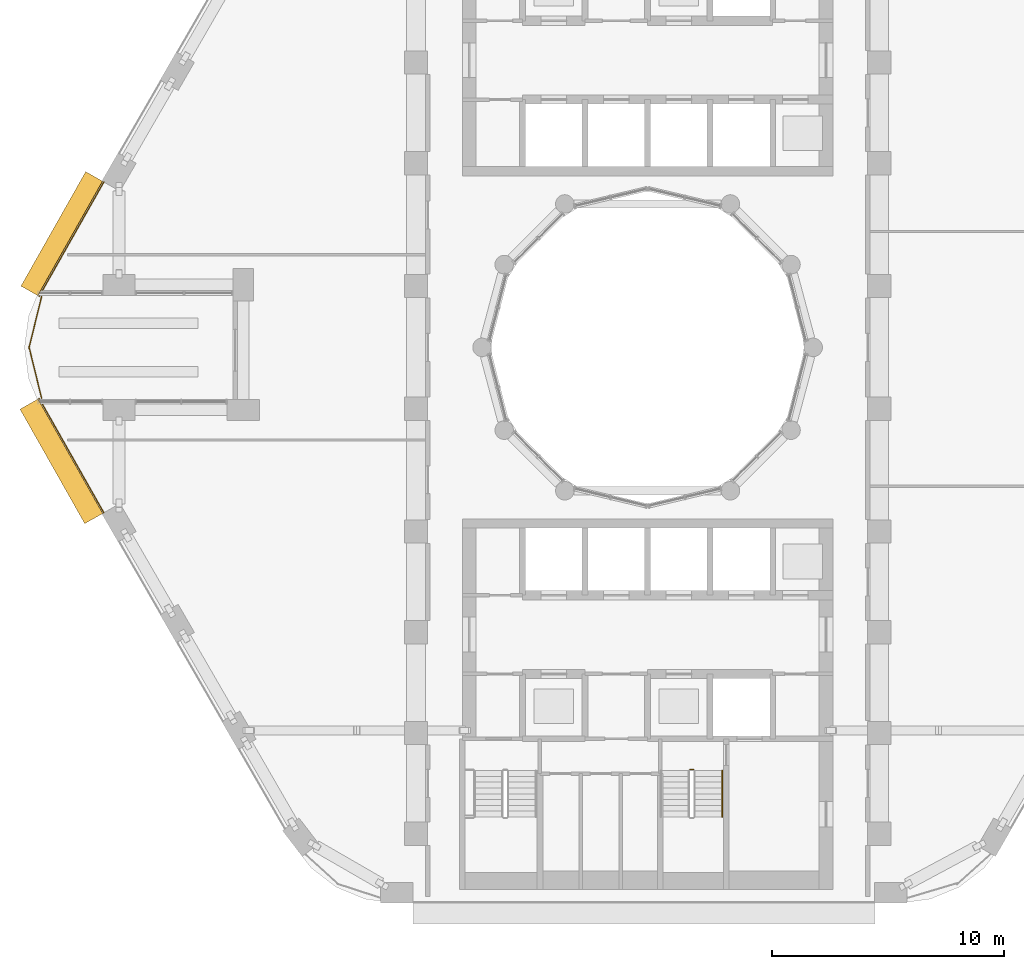
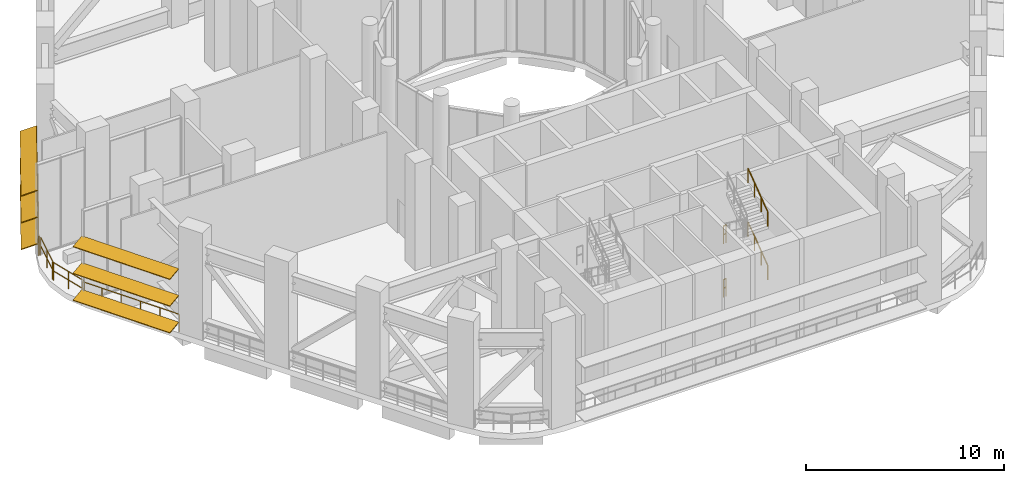
# One storey, part 17 of 21: 8 railings, 6 shading devices.
"""IFC4 building model written with IfcOpenShell, lengths in metres."""

from ifc_helpers import new_model, si_unit, direction, frame, origin, origin_2d, place, context, subcontext, project, spatial, rectangle, circle, extrude, material, material_profile, profile_set, type_object, element, save


model = new_model("IFC4")

# Units and contexts
model_context = context("Model", 3, precision=1e-05, world=origin(), true_north=direction((0.0, 1.0)))
body_context = subcontext(model_context, "Body", "Model", "MODEL_VIEW")
ifc_project = project(units=[si_unit("LENGTHUNIT", "METRE"), si_unit("AREAUNIT", "SQUARE_METRE"), si_unit("VOLUMEUNIT", "CUBIC_METRE"), si_unit("PLANEANGLEUNIT", "RADIAN"), si_unit("MASSUNIT", "GRAM", prefix="KILO")], contexts=[model_context])

# Site, building, storey
site_placement = place(None, origin())
site = spatial("IfcSite", under=ifc_project, at=site_placement, CompositionType="ELEMENT")
building_placement = place(site_placement, origin())
building = spatial("IfcBuilding", under=site, at=building_placement, Name="Nakaniwa Court", CompositionType="ELEMENT")
storey_placement = place(building_placement, frame((0.0, 0.0, 120.60009765625)))
storey = spatial("IfcBuildingStorey", under=building, at=storey_placement, Name="S2", CompositionType="ELEMENT", Elevation=120.60009765625)

# Railings
ifc_material_1 = material(Name="Black powder-coated steel flat bar balustrade S275", Category="steel")
railing_type_1 = type_object("IfcRailingType", Name="Black metal terrace guard 1100", PredefinedType="GUARDRAIL", material=ifc_material_1)
railing_1_placement = place(storey_placement, frame((56.522216796875, 87.14306640625, 0.0)))
element("IfcRailing", 1, at=railing_1_placement, inside=storey, type_object=railing_type_1, Name="S2 refuge band guard 14", PredefinedType="GUARDRAIL", context=body_context, shape_type="SweptSolid", body=[
    extrude(circle(Radius=0.02392578125, at=origin_2d()), frame((0.0, 0.0, 1.076171875), z_axis=(-0.492424278861, -0.870355289286, 0.0), x_axis=(0.870355289286, -0.492424278861, 0.0)), (0.0, 0.0, 1.0), 5.67626953125),
    extrude(circle(Radius=0.02392578125, at=origin_2d()), frame((0.0, 0.0, 0.550048828125), z_axis=(-0.492424278861, -0.870355289286, 0.0), x_axis=(0.870355289286, -0.492424278861, 0.0)), (0.0, 0.0, 1.0), 5.67626953125),
    extrude(circle(Radius=0.02099609375, at=origin_2d()), origin(), (0.0, 0.0, 1.0), 1.052001953125),
    extrude(circle(Radius=0.02099609375, at=origin_2d()), frame((-0.55908203125, -0.988037109375, 0.0)), (0.0, 0.0, 1.0), 1.052001953125),
    extrude(circle(Radius=0.02099609375, at=origin_2d()), frame((-1.1181640625, -1.97607421875, 0.0)), (0.0, 0.0, 1.0), 1.052001953125),
    extrude(circle(Radius=0.02099609375, at=origin_2d()), frame((-1.677001953125, -2.96435546875, 0.0)), (0.0, 0.0, 1.0), 1.052001953125),
    extrude(circle(Radius=0.02099609375, at=origin_2d()), frame((-2.236083984375, -3.952392578125, 0.0)), (0.0, 0.0, 1.0), 1.052001953125),
    extrude(circle(Radius=0.02099609375, at=origin_2d()), frame((-2.795166015625, -4.9404296875, 0.0)), (0.0, 0.0, 1.0), 1.052001953125),
])
railing_2_placement = place(storey_placement, frame((53.72705078125, 77.79736328125, 0.0)))
element("IfcRailing", 2, at=railing_2_placement, inside=storey, type_object=railing_type_1, Name="S2 refuge band guard 20", PredefinedType="GUARDRAIL", context=body_context, shape_type="SweptSolid", body=[
    extrude(circle(Radius=0.02392578125, at=origin_2d()), frame((0.0, 0.0, 1.076171875), z_axis=(0.492424278861, -0.870355289286, 0.0), x_axis=(0.870355289286, 0.492424278861, 0.0)), (0.0, 0.0, 1.0), 5.67626953125),
    extrude(circle(Radius=0.02392578125, at=origin_2d()), frame((0.0, 0.0, 0.550048828125), z_axis=(0.492424278861, -0.870355289286, 0.0), x_axis=(0.870355289286, 0.492424278861, 0.0)), (0.0, 0.0, 1.0), 5.67626953125),
    extrude(circle(Radius=0.02099609375, at=origin_2d()), origin(), (0.0, 0.0, 1.0), 1.052001953125),
    extrude(circle(Radius=0.02099609375, at=origin_2d()), frame((0.55908203125, -0.988037109375, 0.0)), (0.0, 0.0, 1.0), 1.052001953125),
    extrude(circle(Radius=0.02099609375, at=origin_2d()), frame((1.1181640625, -1.97607421875, 0.0)), (0.0, 0.0, 1.0), 1.052001953125),
    extrude(circle(Radius=0.02099609375, at=origin_2d()), frame((1.677001953125, -2.96435546875, 0.0)), (0.0, 0.0, 1.0), 1.052001953125),
    extrude(circle(Radius=0.02099609375, at=origin_2d()), frame((2.236083984375, -3.952392578125, 0.0)), (0.0, 0.0, 1.0), 1.052001953125),
    extrude(circle(Radius=0.02099609375, at=origin_2d()), frame((2.795166015625, -4.9404296875, 0.0)), (0.0, 0.0, 1.0), 1.052001953125),
])
railing_3_placement = place(storey_placement, frame((53.8359375, 82.20263671875, 0.0)))
element("IfcRailing", 3, at=railing_3_placement, inside=storey, type_object=railing_type_1, Name="S2 sky garden terrace 1 guard 1", PredefinedType="GUARDRAIL", context=body_context, shape_type="SweptSolid", body=[
    extrude(circle(Radius=0.02392578125, at=origin_2d()), frame((0.0, 0.0, 1.076171875), z_axis=(-0.238169012128, -0.971223723795, 0.0), x_axis=(0.971223723795, -0.238169012128, 0.0)), (0.0, 0.0, 1.0), 2.316650390625),
    extrude(circle(Radius=0.02392578125, at=origin_2d()), frame((0.0, 0.0, 0.550048828125), z_axis=(-0.238169012128, -0.971223723795, 0.0), x_axis=(0.971223723795, -0.238169012128, 0.0)), (0.0, 0.0, 1.0), 2.316650390625),
    extrude(circle(Radius=0.02099609375, at=origin_2d()), origin(), (0.0, 0.0, 1.0), 1.052001953125),
    extrude(circle(Radius=0.02099609375, at=origin_2d()), frame((-0.27587890625, -1.125, 0.0)), (0.0, 0.0, 1.0), 1.052001953125),
    extrude(circle(Radius=0.02099609375, at=origin_2d()), frame((-0.5517578125, -2.25, 0.0)), (0.0, 0.0, 1.0), 1.052001953125),
])
railing_4_placement = place(storey_placement, frame((53.2841796875, 80.04736328125, 0.0)))
element("IfcRailing", 4, at=railing_4_placement, inside=storey, type_object=railing_type_1, Name="S2 sky garden terrace 1 guard 2", PredefinedType="GUARDRAIL", context=body_context, shape_type="SweptSolid", body=[
    extrude(circle(Radius=0.02392578125, at=origin_2d()), frame((0.0, 0.0, 1.076171875), z_axis=(0.238169012128, -0.971223723795, 0.0), x_axis=(0.971223723795, 0.238169012128, 0.0)), (0.0, 0.0, 1.0), 2.316650390625),
    extrude(circle(Radius=0.02392578125, at=origin_2d()), frame((0.0, 0.0, 0.550048828125), z_axis=(0.238169012128, -0.971223723795, 0.0), x_axis=(0.971223723795, 0.238169012128, 0.0)), (0.0, 0.0, 1.0), 2.316650390625),
    extrude(circle(Radius=0.02099609375, at=origin_2d()), origin(), (0.0, 0.0, 1.0), 1.052001953125),
    extrude(circle(Radius=0.02099609375, at=origin_2d()), frame((0.27587890625, -1.125, 0.0)), (0.0, 0.0, 1.0), 1.052001953125),
    extrude(circle(Radius=0.02099609375, at=origin_2d()), frame((0.5517578125, -2.25, 0.0)), (0.0, 0.0, 1.0), 1.052001953125),
])

# Shading devices
ifc_material_2 = material(Name="Perforated charcoal ceramic louvre blade")
ifc_material_profile = material_profile(ifc_material_2, rectangle(XDim=0.89990234375, YDim=0.050048828125, at=origin_2d()), Name="Perforated ceramic louvre blade")
ifc_profile_set = profile_set([ifc_material_profile], Name="Perforated charcoal ceramic louvre blade")
shading_device_type = type_object("IfcShadingDeviceType", Name="Perforated ceramic louvre blade", PredefinedType="JALOUSIE", material=ifc_profile_set)
for number, where, z_axis, x_axis, name in (
    (5, (56.1083984375, 87.377197265625, 0.5498046875), (-0.492456858874, -0.870336855561, 0.0), (0.804666487716, -0.455299035597, 0.38107037635), "S2 perforated ceramic louvre blade s14 1"),
    (6, (56.1083984375, 87.377197265625, 2.199951171875), (-0.492456858874, -0.870336855561, 0.0), (0.804666487716, -0.455299035597, 0.38107037635), "S2 perforated ceramic louvre blade s14 2"),
    (7, (56.1083984375, 87.377197265625, 3.849853515625), (-0.492456858874, -0.870336855561, 0.0), (0.804666487716, -0.455299035597, 0.38107037635), "S2 perforated ceramic louvre blade s14 3"),
):
    element("IfcShadingDevice", number, at=place(storey_placement, frame(where, z_axis=z_axis, x_axis=x_axis)), inside=storey, type_object=shading_device_type, Name=name, PredefinedType="JALOUSIE", context=body_context, shape_type="SweptSolid", body=[
        extrude(rectangle(XDim=0.89990234375, YDim=0.050048828125, at=origin_2d()), origin(), (0.0, 0.0, 1.0), 5.676513671875),
    ])
for number, where, z_axis, x_axis, name in (
    (8, (53.29248046875, 77.551513671875, 0.5498046875), (0.492424278861, -0.870355289286, 0.0), (0.86270968828, 0.488098597604, 0.132256390257), "S2 perforated ceramic louvre blade s20 1"),
    (9, (53.29248046875, 77.551513671875, 2.199951171875), (0.492424278861, -0.870355289286, 0.0), (0.86270968828, 0.488098597604, 0.132256390257), "S2 perforated ceramic louvre blade s20 2"),
    (10, (53.29248046875, 77.551513671875, 3.849853515625), (0.492424278861, -0.870355289286, 0.0), (0.86270968828, 0.488098597604, 0.132256390257), "S2 perforated ceramic louvre blade s20 3"),
):
    element("IfcShadingDevice", number, at=place(storey_placement, frame(where, z_axis=z_axis, x_axis=x_axis)), inside=storey, type_object=shading_device_type, Name=name, PredefinedType="JALOUSIE", context=body_context, shape_type="SweptSolid", body=[
        extrude(rectangle(XDim=0.89990234375, YDim=0.050048828125, at=origin_2d()), origin(), (0.0, 0.0, 1.0), 5.67626953125),
    ])

# Railings
ifc_material_3 = material(Name="Black powder coated steel guard", Category="steel")
railing_type_2 = type_object("IfcRailingType", Name="Stair guard 1100", PredefinedType="GUARDRAIL", material=ifc_material_3)
for number, where, name in (
    (11, (81.824951171875, 61.77490234375, 3.2998046875), "S2 ST4 stair guard 4"),
    (12, (81.824951171875, 61.77490234375, 0.0), "S2 ST4 stair guard 8"),
):
    element("IfcRailing", number, at=place(storey_placement, frame(where)), inside=storey, type_object=railing_type_2, Name=name, PredefinedType="GUARDRAIL", context=body_context, shape_type="SweptSolid", body=[
        extrude(circle(Radius=0.02392578125, at=origin_2d()), frame((0.0, 0.0, 1.076171875), z_axis=(1.0, 0.0, 0.0), x_axis=(0.0, 1.0, 0.0)), (0.0, 0.0, 1.0), 0.150146484375),
        extrude(circle(Radius=0.02392578125, at=origin_2d()), frame((0.0, 0.0, 0.550048828125), z_axis=(1.0, 0.0, 0.0), x_axis=(0.0, 1.0, 0.0)), (0.0, 0.0, 1.0), 0.150146484375),
        extrude(circle(Radius=0.02099609375, at=origin_2d()), origin(), (0.0, 0.0, 1.0), 1.052001953125),
        extrude(circle(Radius=0.02099609375, at=origin_2d()), frame((0.150146484375, 0.0, 0.0)), (0.0, 0.0, 1.0), 1.052001953125),
    ])
ifc_material_4 = material(Name="Black powder coated steel handrail", Category="steel")
railing_type_3 = type_object("IfcRailingType", Name="Stair handrail 900", PredefinedType="HANDRAIL", material=ifc_material_4)
for number, where, name in (
    (13, (83.22509765625, 59.72509765625, 1.833251953125), "S2 ST4 stair handrail 2"),
    (14, (83.22509765625, 59.72509765625, 5.13330078125), "S2 ST4 stair handrail 4"),
):
    element("IfcRailing", number, at=place(storey_placement, frame(where)), inside=storey, type_object=railing_type_3, Name=name, PredefinedType="HANDRAIL", context=body_context, shape_type="SweptSolid", body=[
        extrude(circle(Radius=0.02392578125, at=origin_2d()), frame((0.0, 0.0, 0.8759765625), z_axis=(0.0, 0.806426902644, 0.591333789573), x_axis=(-1.0, 0.0, 0.0)), (0.0, 0.0, 1.0), 2.47998046875),
        extrude(circle(Radius=0.02099609375, at=origin_2d()), origin(), (0.0, 0.0, 1.0), 0.851806640625),
        extrude(circle(Radius=0.02099609375, at=origin_2d()), frame((0.0, 0.666748046875, 0.48876953125)), (0.0, 0.0, 1.0), 0.851806640625),
        extrude(circle(Radius=0.02099609375, at=origin_2d()), frame((0.0, 1.333251953125, 0.977783203125)), (0.0, 0.0, 1.0), 0.851806640625),
        extrude(circle(Radius=0.02099609375, at=origin_2d()), frame((0.0, 2.0, 1.466552734375)), (0.0, 0.0, 1.0), 0.851806640625),
    ])

save(model, "model.ifc")
